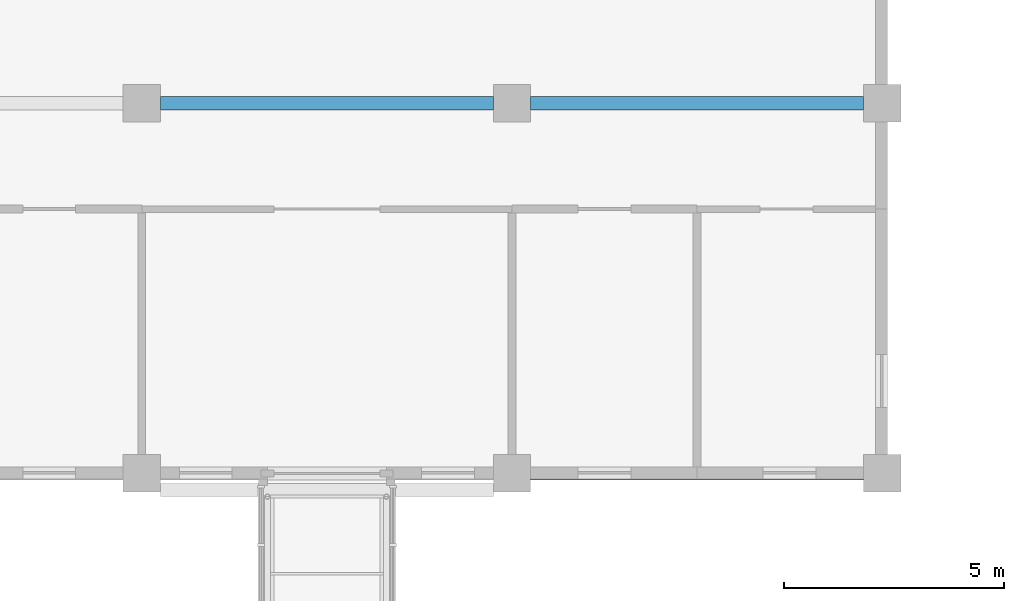
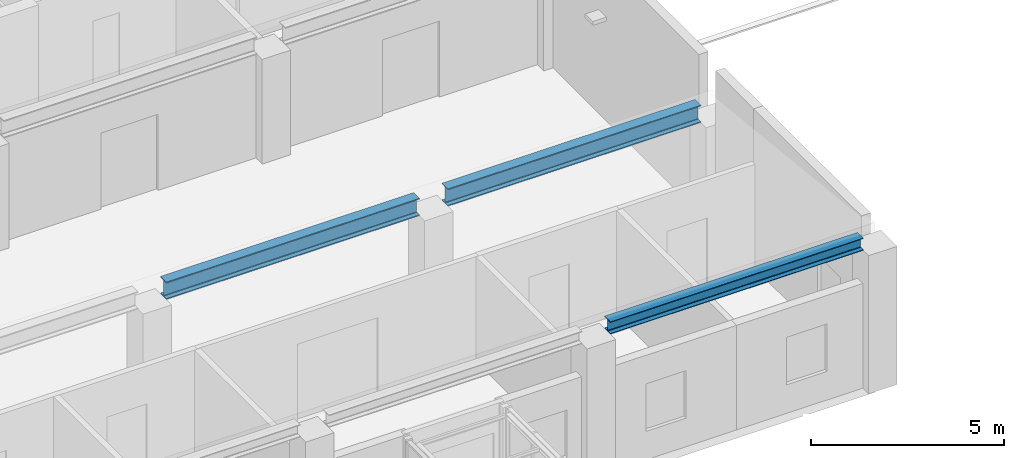
# One storey, part 22 of 94: 3 beams.
"""IFC4 building model written with IfcOpenShell, lengths in metres."""

from ifc_helpers import new_model, si_unit, direction, frame, origin, origin_2d, place, context, subcontext, project, spatial, i_section, extrude, material, material_profile, profile_set, type_object, element, save


model = new_model("IFC4")

# Units and contexts
model_context = context("Model", 3, precision=1e-05, world=origin(), true_north=direction((0.0, 1.0)))
body_context = subcontext(model_context, "Body", "Model", "MODEL_VIEW")
ifc_project = project(units=[si_unit("LENGTHUNIT", "METRE"), si_unit("AREAUNIT", "SQUARE_METRE"), si_unit("VOLUMEUNIT", "CUBIC_METRE"), si_unit("PLANEANGLEUNIT", "RADIAN"), si_unit("MASSUNIT", "GRAM", prefix="KILO")], contexts=[model_context])

# Site, building, storey
site_placement = place(None, origin())
site = spatial("IfcSite", under=ifc_project, at=site_placement, CompositionType="ELEMENT")
building_placement = place(site_placement, origin())
building = spatial("IfcBuilding", under=site, at=building_placement, Name="Yavir Park General Hospital", CompositionType="ELEMENT")
storey_placement = place(building_placement, frame((0.0, 0.0, 4.5)))
storey = spatial("IfcBuildingStorey", under=building, at=storey_placement, Name="L01", CompositionType="ELEMENT", Elevation=4.5)

# Beams
ifc_material_1 = material(Name="Steel S355", Category="steel")
ifc_material_profile_1 = material_profile(ifc_material_1, i_section(OverallWidth=0.300048828125, OverallDepth=0.389892578125, WebThickness=0.010986328125, FlangeThickness=0.01904296875, FilletRadius=0.027099609375, at=origin_2d()), Name="HEA400")
ifc_profile_set_1 = profile_set([ifc_material_profile_1], Name="Steel S355")
beam_type_1 = type_object("IfcBeamType", Name="HEA 400 edge beam", PredefinedType="BEAM", material=ifc_profile_set_1)
beam_1_placement = place(storey_placement, frame((59.22509765625, 50.39990234375, 4.552978515625), z_axis=(1.0, 0.0, 0.0), x_axis=(0.0, 1.0, 0.0)))
element("IfcBeam", 1, at=beam_1_placement, inside=storey, type_object=beam_type_1, Name="B:CLIN:V0:3", PredefinedType="BEAM", context=body_context, shape_type="SweptSolid", body=[
    extrude(i_section(OverallWidth=0.300048828125, OverallDepth=0.389892578125, WebThickness=0.010986328125, FlangeThickness=0.01904296875, FilletRadius=0.027099609375, at=origin_2d()), origin(), (0.0, 0.0, 1.0), 7.5498046875),
])
ifc_material_2 = material(Name="Steel S355", Category="steel")
ifc_material_profile_2 = material_profile(ifc_material_2, i_section(OverallWidth=0.300048828125, OverallDepth=0.550048828125, WebThickness=0.014892578125, FlangeThickness=0.029052734375, FilletRadius=0.027099609375, at=origin_2d()), Name="HEB550")
ifc_profile_set_2 = profile_set([ifc_material_profile_2], Name="Steel S355")
beam_type_2 = type_object("IfcBeamType", Name="HEB 550 valley beam", PredefinedType="BEAM", material=ifc_profile_set_2)
beam_2_placement = place(storey_placement, frame((50.824951171875, 58.800048828125, 3.572998046875), z_axis=(1.0, 0.0, 0.0), x_axis=(0.0, 1.0, 0.0)))
element("IfcBeam", 2, at=beam_2_placement, inside=storey, type_object=beam_type_2, Name="B:CLIN:V1:2", PredefinedType="BEAM", context=body_context, shape_type="SweptSolid", body=[
    extrude(i_section(OverallWidth=0.300048828125, OverallDepth=0.550048828125, WebThickness=0.014892578125, FlangeThickness=0.029052734375, FilletRadius=0.027099609375, at=origin_2d()), origin(), (0.0, 0.0, 1.0), 7.550048828125),
])
beam_3_placement = place(storey_placement, frame((59.22509765625, 58.800048828125, 3.572998046875), z_axis=(1.0, 0.0, 0.0), x_axis=(0.0, 1.0, 0.0)))
element("IfcBeam", 3, at=beam_3_placement, inside=storey, type_object=beam_type_2, Name="B:CLIN:V1:3", PredefinedType="BEAM", context=body_context, shape_type="SweptSolid", body=[
    extrude(i_section(OverallWidth=0.300048828125, OverallDepth=0.550048828125, WebThickness=0.014892578125, FlangeThickness=0.029052734375, FilletRadius=0.027099609375, at=origin_2d()), origin(), (0.0, 0.0, 1.0), 7.5498046875),
])

save(model, "model.ifc")
